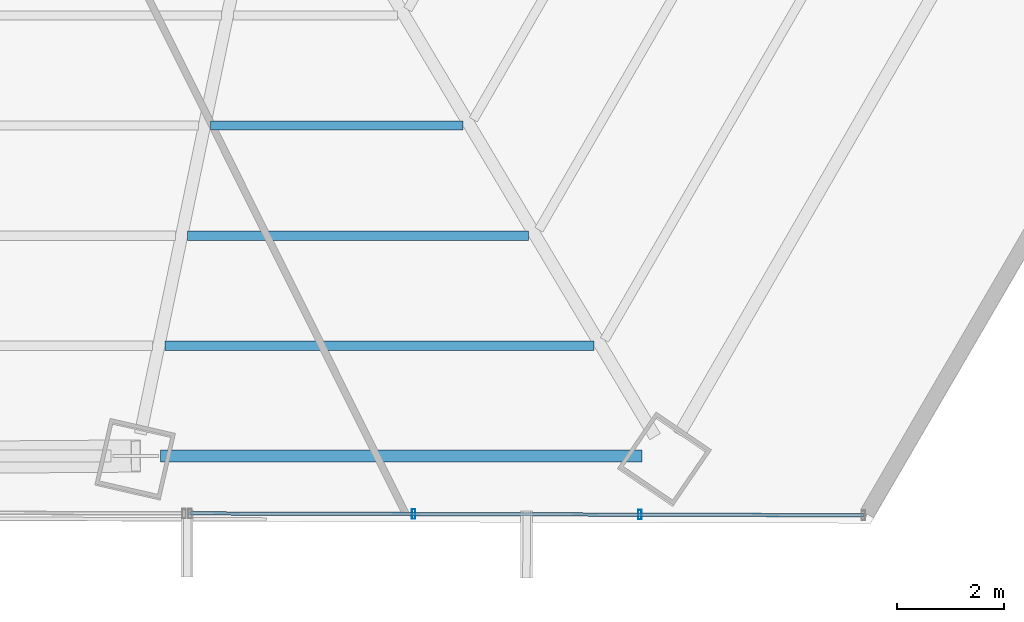
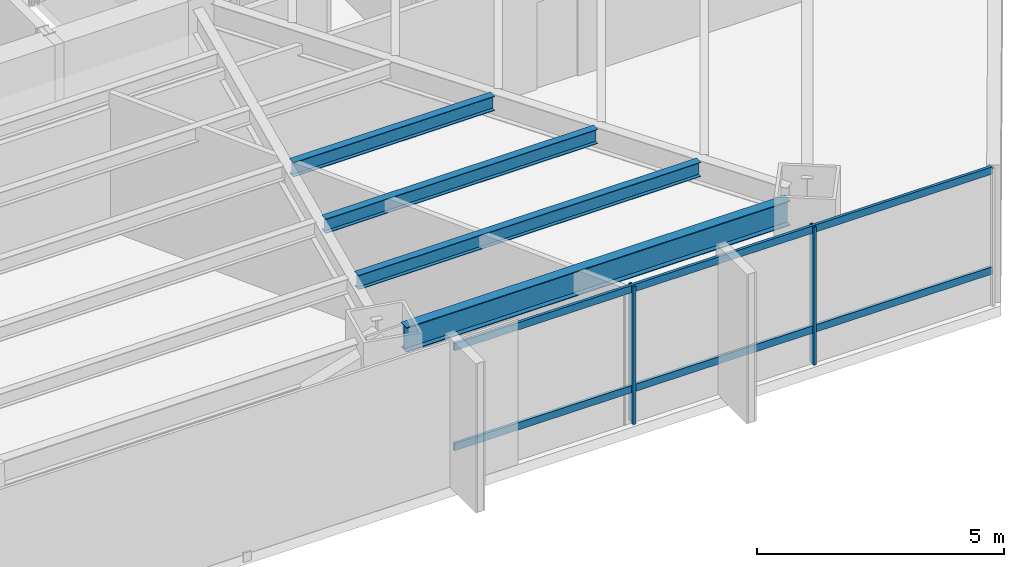
# One storey, part 12 of 33: 4 beams, 4 members, 1 element without a shape of its own.
"""IFC4 building model written with IfcOpenShell, lengths in metres."""

from ifc_helpers import new_model, si_unit, direction, frame, origin, origin_2d, place, context, subcontext, project, spatial, hollow_rectangle, i_section, extrude, source, transform, mapped, material, material_profile, profile_set, type_object, type_shapes, element, aggregate, save


model = new_model("IFC4")

# Units and contexts
model_context = context("Model", 3, precision=1e-05, world=origin(), true_north=direction((0.0, 1.0)))
body_context = subcontext(model_context, "Body", "Model", "MODEL_VIEW")
ifc_project = project(units=[si_unit("LENGTHUNIT", "METRE"), si_unit("AREAUNIT", "SQUARE_METRE"), si_unit("VOLUMEUNIT", "CUBIC_METRE"), si_unit("PLANEANGLEUNIT", "RADIAN"), si_unit("MASSUNIT", "GRAM", prefix="KILO")], contexts=[model_context])

# Site, building, storey
site_placement = place(None, origin())
site = spatial("IfcSite", under=ifc_project, at=site_placement, CompositionType="ELEMENT")
building_placement = place(site_placement, origin())
building = spatial("IfcBuilding", under=site, at=building_placement, Name="Caelisora Broadcast Tower", CompositionType="ELEMENT")
storey_placement = place(building_placement, frame((0.0, 0.0, 38.550048828125)))
storey = spatial("IfcBuildingStorey", under=building, at=storey_placement, Name="L09", CompositionType="ELEMENT", Elevation=38.550048828125)

# Beams
ifc_material_1 = material(Name="Steel Grade 350 (AS/NZS 3679.1)", Category="steel")
ifc_material_profile_1 = material_profile(ifc_material_1, i_section(OverallWidth=0.22900390625, OverallDepth=0.611572265625, WebThickness=0.011962890625, FlangeThickness=0.01953125, at=origin_2d()), Name="Steel Grade 350 (AS/NZS 3679.1)")
ifc_profile_set_1 = profile_set([ifc_material_profile_1], Name="Steel Grade 350 (AS/NZS 3679.1)")
beam_type_1 = type_object("IfcBeamType", Name="PG03", PredefinedType="BEAM", material=ifc_profile_set_1)
shared_shape_1 = source(origin(), body_context, "Body", "SweptSolid", [
    extrude(i_section(OverallWidth=0.22900390625, OverallDepth=0.611572265625, WebThickness=0.011962890625, FlangeThickness=0.01953125, at=origin_2d()), origin(), (0.0, 0.0, 1.0), 8.9658203125),
])
type_shapes(beam_type_1, [shared_shape_1])
beam_1_placement = place(storey_placement, frame((43.403076171875, 5.089111328125, 3.09423828125), z_axis=(1.0, 0.0, 0.0), x_axis=(0.0, 1.0, 0.0)))
element("IfcBeam", 1, at=beam_1_placement, inside=storey, type_object=beam_type_1, Name="L09 beam PG03", PredefinedType="BEAM", context=body_context, shape_type="MappedRepresentation", body=[
    mapped(shared_shape_1, transform((0.0, 0.0, 0.0), scale=1.0)),
])
ifc_material_profile_2 = material_profile(ifc_material_1, i_section(OverallWidth=0.172119140625, OverallDepth=0.358642578125, WebThickness=0.008056640625, FlangeThickness=0.012939453125, at=origin_2d()), Name="Steel Grade 350 (AS/NZS 3679.1)")
ifc_profile_set_2 = profile_set([ifc_material_profile_2], Name="Steel Grade 350 (AS/NZS 3679.1)")
beam_type_2 = type_object("IfcBeamType", Name="SB02", PredefinedType="JOIST", material=ifc_profile_set_2)
shared_shape_2 = source(origin(), body_context, "Body", "SweptSolid", [
    extrude(i_section(OverallWidth=0.172119140625, OverallDepth=0.358642578125, WebThickness=0.008056640625, FlangeThickness=0.012939453125, at=origin_2d()), origin(), (0.0, 0.0, 1.0), 4.699951171875),
])
beam_2_placement = place(storey_placement, frame((44.3349609375, 11.24462890625, 3.220703125), z_axis=(1.0, 0.0, 0.0), x_axis=(0.0, 1.0, 0.0)))
element("IfcBeam", 2, at=beam_2_placement, inside=storey, type_object=beam_type_2, Name="L09 beam SB02", PredefinedType="JOIST", context=body_context, shape_type="MappedRepresentation", body=[
    mapped(shared_shape_2, transform((0.0, 0.0, 0.0), scale=1.0)),
])
shared_shape_3 = source(origin(), body_context, "Body", "SweptSolid", [
    extrude(i_section(OverallWidth=0.172119140625, OverallDepth=0.358642578125, WebThickness=0.008056640625, FlangeThickness=0.012939453125, at=origin_2d()), origin(), (0.0, 0.0, 1.0), 6.34765625),
])
beam_3_placement = place(storey_placement, frame((43.90869140625, 9.19287109375, 3.220703125), z_axis=(1.0, 0.0, 0.0), x_axis=(0.0, 1.0, 0.0)))
element("IfcBeam", 3, at=beam_3_placement, inside=storey, type_object=beam_type_2, Name="L09 beam SB02", PredefinedType="JOIST", context=body_context, shape_type="MappedRepresentation", body=[
    mapped(shared_shape_3, transform((0.0, 0.0, 0.0), scale=1.0)),
])
shared_shape_4 = source(origin(), body_context, "Body", "SweptSolid", [
    extrude(i_section(OverallWidth=0.172119140625, OverallDepth=0.358642578125, WebThickness=0.008056640625, FlangeThickness=0.012939453125, at=origin_2d()), origin(), (0.0, 0.0, 1.0), 7.9951171875),
])
type_shapes(beam_type_2, [shared_shape_2, shared_shape_3, shared_shape_4])
beam_4_placement = place(storey_placement, frame((43.482666015625, 7.14111328125, 3.220703125), z_axis=(1.0, 0.0, 0.0), x_axis=(0.0, 1.0, 0.0)))
element("IfcBeam", 4, at=beam_4_placement, inside=storey, type_object=beam_type_2, Name="L09 beam SB02", PredefinedType="JOIST", context=body_context, shape_type="MappedRepresentation", body=[
    mapped(shared_shape_4, transform((0.0, 0.0, 0.0), scale=1.0)),
])

# Curtain wall, members
ifc_material_2 = material(Name="Unitised Aluminium and Low-E Glass Curtain Wall", Category="glass")
curtain_wall_type = type_object("IfcCurtainWallType", Name="CW-Z1", PredefinedType="NOTDEFINED", material=ifc_material_2)
curtain_wall_placement = place(storey_placement, origin())
curtain_wall = element("IfcCurtainWall", 5, at=curtain_wall_placement, inside=storey, type_object=curtain_wall_type, Name="L09 curtain wall CW-Z1", PredefinedType="NOTDEFINED")
ifc_material_3 = material(Name="Aluminium 6063-T6 Anodised Terracotta Bronze", Category="aluminium")
ifc_material_profile_3 = material_profile(ifc_material_3, hollow_rectangle(XDim=0.06494140625, YDim=0.179931640625, WallThickness=0.00341796875, at=origin_2d()), Name="Aluminium 6063-T6 Anodised Terracotta Bronze")
ifc_profile_set_3 = profile_set([ifc_material_profile_3], Name="Aluminium 6063-T6 Anodised Terracotta Bronze")
member_type_1 = type_object("IfcMemberType", Name="CWM-02", PredefinedType="MULLION", material=ifc_profile_set_3)
shared_shape_5 = source(origin(), body_context, "Body", "SweptSolid", [
    extrude(hollow_rectangle(XDim=0.06494140625, YDim=0.179931640625, WallThickness=0.00341796875, at=origin_2d()), origin(), (0.0, 0.0, 1.0), 3.39990234375),
])
type_shapes(member_type_1, [shared_shape_5])
member_1_placement = place(storey_placement, frame((52.331298828125, 3.996826171875, 0.0), z_axis=(0.0, 0.0, 1.0), x_axis=(1.0, 0.0, 0.0)))
member_1 = element("IfcMember", 6, at=member_1_placement, type_object=member_type_1, Name="L09-CW-B05 mullion #1", PredefinedType="MULLION", context=body_context, shape_type="MappedRepresentation", body=[
    mapped(shared_shape_5, transform((0.0, 0.0, 0.0), scale=1.0)),
])
member_2_placement = place(storey_placement, frame((48.117431640625, 4.008544921875, 0.0), z_axis=(0.0, 0.0, 1.0), x_axis=(1.0, 0.0, 0.0)))
member_2 = element("IfcMember", 7, at=member_2_placement, type_object=member_type_1, Name="L09-CW-B05 mullion #2", PredefinedType="MULLION", context=body_context, shape_type="MappedRepresentation", body=[
    mapped(shared_shape_5, transform((0.0, 0.0, 0.0), scale=1.0)),
])
ifc_material_profile_4 = material_profile(ifc_material_3, hollow_rectangle(XDim=0.06494140625, YDim=0.179931640625, WallThickness=0.00341796875, at=origin_2d()), Name="Aluminium 6063-T6 Anodised Terracotta Bronze")
ifc_profile_set_4 = profile_set([ifc_material_profile_4], Name="Aluminium 6063-T6 Anodised Terracotta Bronze")
member_type_2 = type_object("IfcMemberType", Name="CWT-01", PredefinedType="USERDEFINED", material=ifc_profile_set_4)
shared_shape_6 = source(origin(), body_context, "Body", "SweptSolid", [
    extrude(hollow_rectangle(XDim=0.06494140625, YDim=0.179931640625, WallThickness=0.00341796875, at=origin_2d()), origin(), (0.0, 0.0, 1.0), 12.541259765625),
])
type_shapes(member_type_2, [shared_shape_6])
member_3_placement = place(storey_placement, frame((56.4951171875, 3.985107421875, 0.849853515625), z_axis=(-0.999996070926, 0.00280323608, 0.0), x_axis=(-0.00280323608, -0.999996070926, 0.0)))
member_3 = element("IfcMember", 8, at=member_3_placement, type_object=member_type_2, Name="L09-CW-B05 transom #1", ObjectType="TRANSOM", PredefinedType="USERDEFINED", context=body_context, shape_type="MappedRepresentation", body=[
    mapped(shared_shape_6, transform((0.0, 0.0, 0.0), scale=1.0)),
])
member_4_placement = place(storey_placement, frame((56.4951171875, 3.985107421875, 3.320068359375), z_axis=(-0.999996070926, 0.00280323608, 0.0), x_axis=(-0.00280323608, -0.999996070926, 0.0)))
member_4 = element("IfcMember", 9, at=member_4_placement, type_object=member_type_2, Name="L09-CW-B05 transom #2", ObjectType="TRANSOM", PredefinedType="USERDEFINED", context=body_context, shape_type="MappedRepresentation", body=[
    mapped(shared_shape_6, transform((0.0, 0.0, 0.0), scale=1.0)),
])
aggregate(curtain_wall, [member_1, member_2, member_3, member_4])

save(model, "model.ifc")
